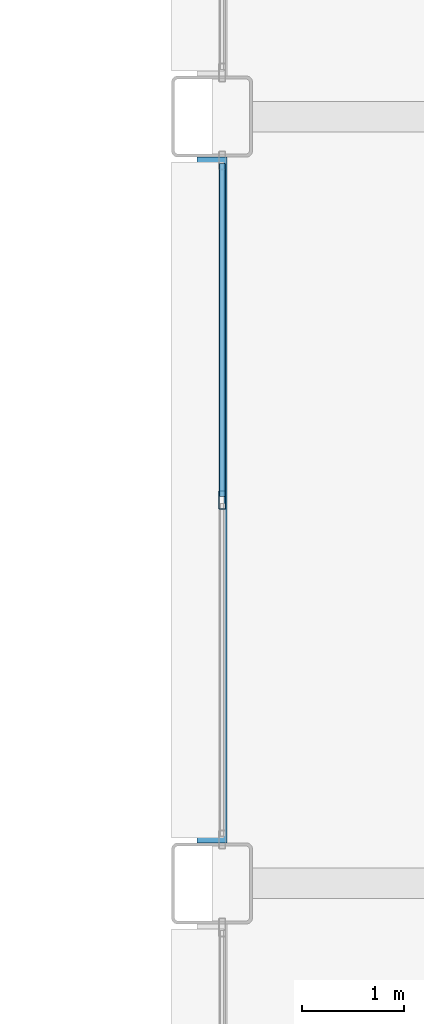
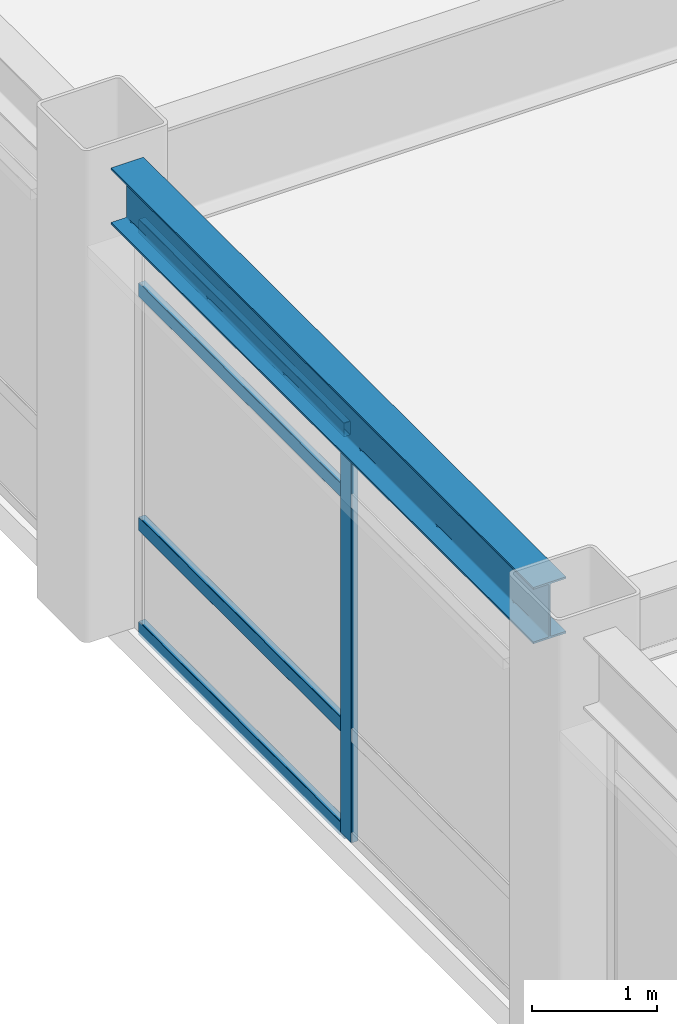
# One storey, part 99 of 154: 5 members, 1 beam, 1 element without a shape of its own.
"""IFC4 building model written with IfcOpenShell, lengths in metres."""

from ifc_helpers import new_model, si_unit, direction, frame, origin, origin_2d, place, context, subcontext, project, spatial, hollow_rectangle, i_section, extrude, material, layer, layer_set, material_profile, profile_set, type_object, element, aggregate, save


model = new_model("IFC4")

# Units and contexts
model_context = context("Model", 3, precision=1e-05, world=origin(), true_north=direction((0.0, 1.0)))
body_context = subcontext(model_context, "Body", "Model", "MODEL_VIEW")
ifc_project = project(units=[si_unit("LENGTHUNIT", "METRE"), si_unit("AREAUNIT", "SQUARE_METRE"), si_unit("VOLUMEUNIT", "CUBIC_METRE"), si_unit("PLANEANGLEUNIT", "RADIAN"), si_unit("MASSUNIT", "GRAM", prefix="KILO")], contexts=[model_context])

# Site, building, storey
site_placement = place(None, origin())
site = spatial("IfcSite", under=ifc_project, at=site_placement, CompositionType="ELEMENT")
building_placement = place(site_placement, origin())
building = spatial("IfcBuilding", under=site, at=building_placement, Name="Kazehara Bluff Congress Hotel", CompositionType="ELEMENT")
storey_placement = place(building_placement, frame((0.0, 0.0, 10.199951171875)))
storey = spatial("IfcBuildingStorey", under=building, at=storey_placement, Name="L02", CompositionType="ELEMENT", Elevation=10.199951171875)

# Curtain wall, members
ifc_material_1 = material(Name="Anodised aluminium", Category="aluminium")
ifc_layer = layer(ifc_material_1, 0.159912109375)
ifc_layer_set = layer_set([ifc_layer], Name="Anodised aluminium")
curtain_wall_type = type_object("IfcCurtainWallType", Name="TP-CW-122", PredefinedType="NOTDEFINED", material=ifc_layer_set)
curtain_wall_placement = place(storey_placement, origin())
curtain_wall = element("IfcCurtainWall", 1, at=curtain_wall_placement, inside=storey, type_object=curtain_wall_type, Name="L02 curtain wall CW-122 CW-ENC-V5-L02-14380-7712", PredefinedType="NOTDEFINED")
ifc_material_2 = material(Name="Anodised aluminium", Category="aluminium")
ifc_material_profile_1 = material_profile(ifc_material_2, hollow_rectangle(XDim=0.06494140625, YDim=0.179931640625, WallThickness=0.00390625, InnerFilletRadius=0.00390625, OuterFilletRadius=0.008056640625, at=origin_2d()))
ifc_profile_set_1 = profile_set([ifc_material_profile_1], Name="Anodised aluminium")
member_type_1 = type_object("IfcMemberType", Name="TP-CWM-02", PredefinedType="MULLION", material=ifc_profile_set_1)
member_1_placement = place(storey_placement, frame((143.800048828125, 77.125, 0.0), z_axis=(0.0, 0.0, 1.0), x_axis=(-1.0, 0.0, 0.0)))
member_1 = element("IfcMember", 2, at=member_1_placement, type_object=member_type_1, Name="CW-122 mullion 2", PredefinedType="MULLION", context=body_context, shape_type="SweptSolid", body=[
    extrude(hollow_rectangle(XDim=0.06494140625, YDim=0.179931640625, WallThickness=0.00390625, InnerFilletRadius=0.00390625, OuterFilletRadius=0.008056640625, at=origin_2d()), origin(), (0.0, 0.0, 1.0), 3.985107421875),
])
ifc_material_3 = material(Name="Anodised aluminium", Category="aluminium")
ifc_material_profile_2 = material_profile(ifc_material_3, hollow_rectangle(XDim=0.06494140625, YDim=0.139892578125, WallThickness=0.00390625, InnerFilletRadius=0.00390625, OuterFilletRadius=0.008056640625, at=origin_2d()))
ifc_profile_set_2 = profile_set([ifc_material_profile_2], Name="Anodised aluminium")
member_type_2 = type_object("IfcMemberType", Name="TP-CWT-02", PredefinedType="USERDEFINED", material=ifc_profile_set_2)
member_2_placement = place(storey_placement, frame((143.800048828125, 77.157470703125, 0.032470703125), z_axis=(0.0, 1.0, 0.0), x_axis=(-1.0, 0.0, 0.0)))
member_2 = element("IfcMember", 3, at=member_2_placement, type_object=member_type_2, Name="CW-122 transom 2.1", ObjectType="TRANSOM", PredefinedType="USERDEFINED", context=body_context, shape_type="SweptSolid", body=[
    extrude(hollow_rectangle(XDim=0.06494140625, YDim=0.139892578125, WallThickness=0.00390625, InnerFilletRadius=0.00390625, OuterFilletRadius=0.008056640625, at=origin_2d()), origin(), (0.0, 0.0, 1.0), 3.277587890625),
])
member_3_placement = place(storey_placement, frame((143.800048828125, 77.157470703125, 1.050048828125), z_axis=(0.0, 1.0, 0.0), x_axis=(-1.0, 0.0, 0.0)))
member_3 = element("IfcMember", 4, at=member_3_placement, type_object=member_type_2, Name="CW-122 transom 2.2", ObjectType="TRANSOM", PredefinedType="USERDEFINED", context=body_context, shape_type="SweptSolid", body=[
    extrude(hollow_rectangle(XDim=0.06494140625, YDim=0.139892578125, WallThickness=0.00390625, InnerFilletRadius=0.00390625, OuterFilletRadius=0.008056640625, at=origin_2d()), origin(), (0.0, 0.0, 1.0), 3.277587890625),
])
member_4_placement = place(storey_placement, frame((143.800048828125, 77.157470703125, 3.3349609375), z_axis=(0.0, 1.0, 0.0), x_axis=(-1.0, 0.0, 0.0)))
member_4 = element("IfcMember", 5, at=member_4_placement, type_object=member_type_2, Name="CW-122 transom 2.3", ObjectType="TRANSOM", PredefinedType="USERDEFINED", context=body_context, shape_type="SweptSolid", body=[
    extrude(hollow_rectangle(XDim=0.06494140625, YDim=0.139892578125, WallThickness=0.00390625, InnerFilletRadius=0.00390625, OuterFilletRadius=0.008056640625, at=origin_2d()), origin(), (0.0, 0.0, 1.0), 3.277587890625),
])
member_5_placement = place(storey_placement, frame((143.800048828125, 77.157470703125, 3.95263671875), z_axis=(0.0, 1.0, 0.0), x_axis=(-1.0, 0.0, 0.0)))
member_5 = element("IfcMember", 6, at=member_5_placement, type_object=member_type_2, Name="CW-122 transom 2.4", ObjectType="TRANSOM", PredefinedType="USERDEFINED", context=body_context, shape_type="SweptSolid", body=[
    extrude(hollow_rectangle(XDim=0.06494140625, YDim=0.139892578125, WallThickness=0.00390625, InnerFilletRadius=0.00390625, OuterFilletRadius=0.008056640625, at=origin_2d()), origin(), (0.0, 0.0, 1.0), 3.277587890625),
])
aggregate(curtain_wall, [member_1, member_2, member_3, member_4, member_5])

# Beam
ifc_material_4 = material(Name="Steel SN490B", Category="steel")
ifc_material_profile_3 = material_profile(ifc_material_4, i_section(OverallWidth=0.300048828125, OverallDepth=0.550048828125, WebThickness=0.010986328125, FlangeThickness=0.01806640625, FilletRadius=0.012939453125, at=origin_2d()))
ifc_profile_set_3 = profile_set([ifc_material_profile_3], Name="Steel SN490B")
beam_type = type_object("IfcBeamType", Name="TP-SP-01", PredefinedType="SPANDREL", material=ifc_profile_set_3)
beam_placement = place(storey_placement, frame((143.699951171875, 73.75, 4.28515625), z_axis=(0.0, 1.0, 0.0), x_axis=(-1.0, 0.0, 0.0)))
element("IfcBeam", 7, at=beam_placement, inside=storey, type_object=beam_type, Name="L02 girder SP-01 146", PredefinedType="SPANDREL", context=body_context, shape_type="SweptSolid", body=[
    extrude(i_section(OverallWidth=0.300048828125, OverallDepth=0.550048828125, WebThickness=0.010986328125, FlangeThickness=0.01806640625, FilletRadius=0.012939453125, at=origin_2d()), origin(), (0.0, 0.0, 1.0), 6.75),
])

save(model, "model.ifc")
